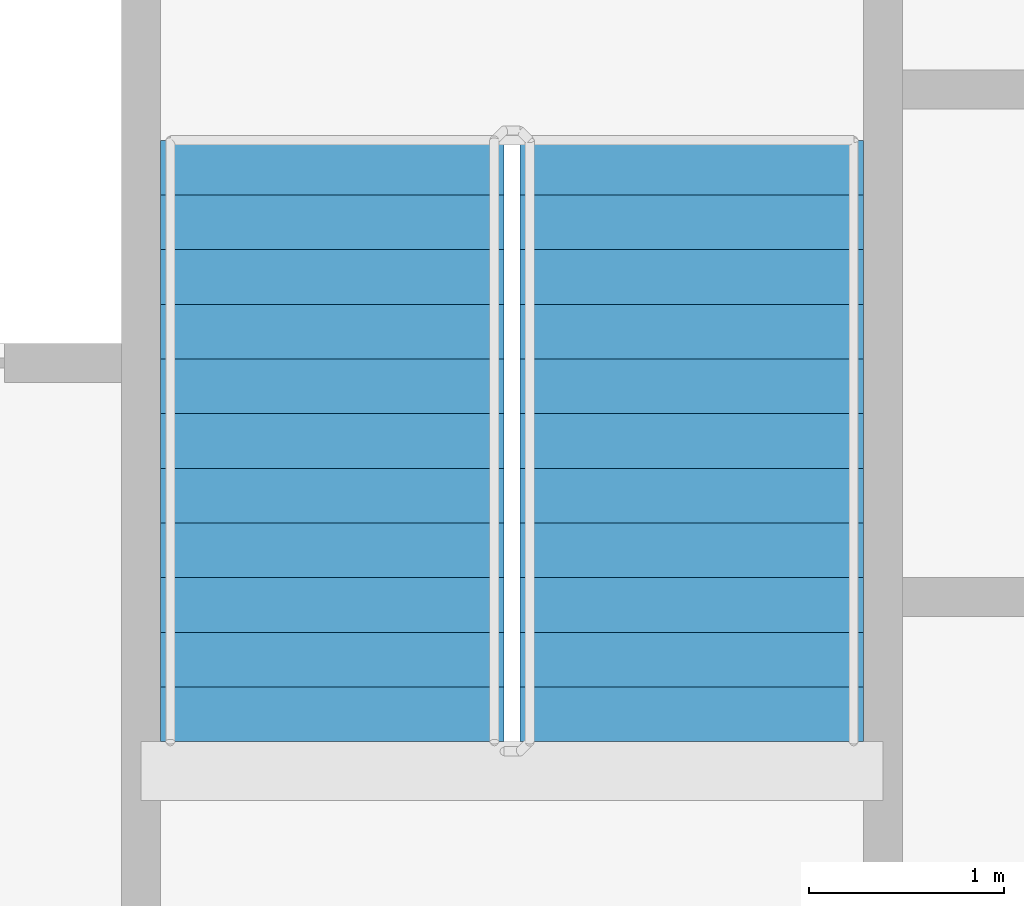
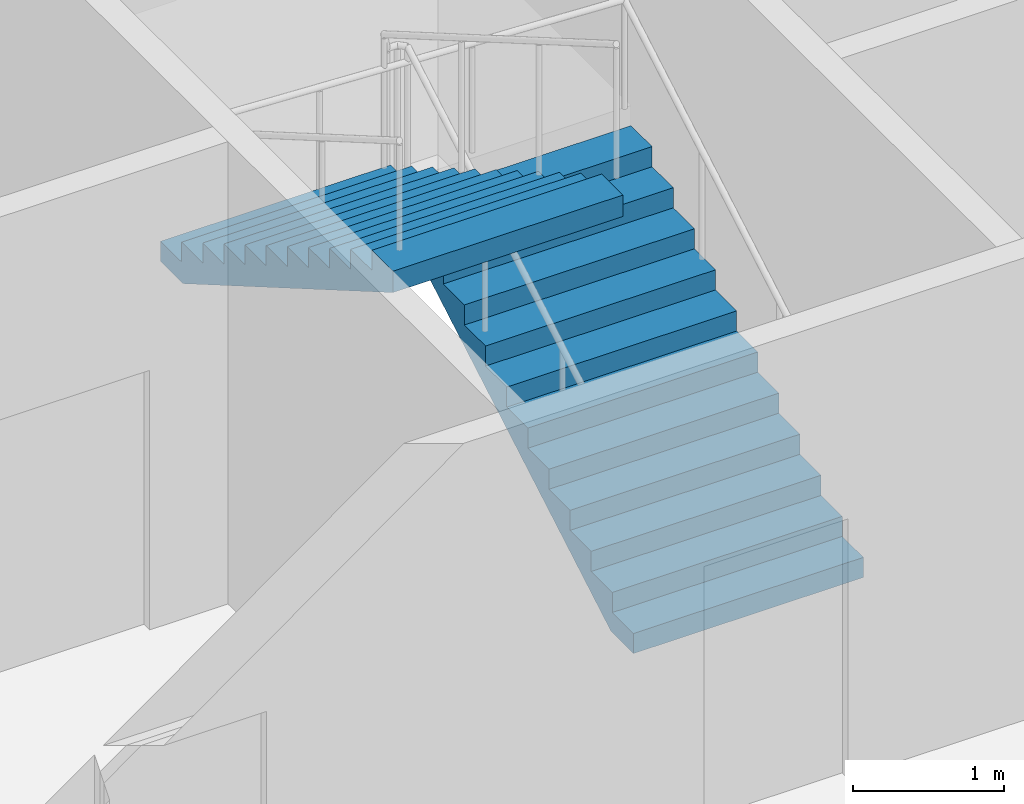
# One storey, part 16 of 22: 2 stair flights, 1 element without a shape of its own.
"""IFC4 building model written with IfcOpenShell, lengths in metres."""

from ifc_helpers import new_model, si_unit, direction, frame, origin, place, context, subcontext, project, spatial, faceted_brep, material, type_object, element, aggregate, save


model = new_model("IFC4")

# Units and contexts
model_context = context("Model", 3, precision=1e-05, world=origin(), true_north=direction((0.0, 1.0)))
body_context = subcontext(model_context, "Body", "Model", "MODEL_VIEW")
ifc_project = project(units=[si_unit("LENGTHUNIT", "METRE"), si_unit("AREAUNIT", "SQUARE_METRE"), si_unit("VOLUMEUNIT", "CUBIC_METRE"), si_unit("PLANEANGLEUNIT", "RADIAN"), si_unit("MASSUNIT", "GRAM", prefix="KILO")], contexts=[model_context])

# Site, building, storey
site_placement = place(None, origin())
site = spatial("IfcSite", under=ifc_project, at=site_placement, CompositionType="ELEMENT")
building_placement = place(site_placement, origin())
building = spatial("IfcBuilding", under=site, at=building_placement, Name="Tarsis Ring Headquarters", CompositionType="ELEMENT")
storey_placement = place(building_placement, frame((0.0, 0.0, 108.39990234375)))
storey = spatial("IfcBuildingStorey", under=building, at=storey_placement, Name="L24", CompositionType="ELEMENT", Elevation=108.39990234375)

# Stair, stair flights
ifc_material_1 = material(Name="Core stair 1760")
stair_type = type_object("IfcStairType", Name="Core stair 1760", PredefinedType="HALF_TURN_STAIR", material=ifc_material_1)
stair_placement = place(storey_placement, origin())
stair = element("IfcStair", 1, at=stair_placement, inside=storey, type_object=stair_type, Name="L24 Exit stair B", PredefinedType="HALF_TURN_STAIR")
ifc_material_2 = material(Name="Concrete C40/50", Category="concrete")
stair_flight_type = type_object("IfcStairFlightType", Name="Core stair flight 1760", PredefinedType="STRAIGHT", material=ifc_material_2)
stair_flight_1_placement = place(storey_placement, frame((5.419921875, 3.659912109375, 0.0), z_axis=(0.0, 0.0, 1.0), x_axis=(0.0, 1.0, 0.0)))
stair_flight_1 = element("IfcStairFlight", 2, at=stair_flight_1_placement, type_object=stair_flight_type, Name="Stair ST2 flight 1", NumberOfRisers=12, NumberOfTreads=11, PredefinedType="STRAIGHT", RiserHeight=0.1625, TreadLength=0.28, context=body_context, shape_type="Brep", body=[
    faceted_brep([(0.0, 0.8798828125, 0.0), (0.0, 0.8798828125, 0.16259765625), (0.280029296875, 0.8798828125, 0.16259765625), (0.280029296875, 0.8798828125, 0.324951171875), (0.56005859375, 0.8798828125, 0.324951171875), (0.56005859375, 0.8798828125, 0.487548828125), (0.840087890625, 0.8798828125, 0.487548828125), (0.840087890625, 0.8798828125, 0.64990234375), (1.1201171875, 0.8798828125, 0.64990234375), (1.1201171875, 0.8798828125, 0.8125), (1.39990234375, 0.8798828125, 0.8125), (1.39990234375, 0.8798828125, 0.97509765625), (1.679931640625, 0.8798828125, 0.97509765625), (1.679931640625, 0.8798828125, 1.137451171875), (1.9599609375, 0.8798828125, 1.137451171875), (1.9599609375, 0.8798828125, 1.300048828125), (2.239990234375, 0.8798828125, 1.300048828125), (2.239990234375, 0.8798828125, 1.46240234375), (2.52001953125, 0.8798828125, 1.46240234375), (2.52001953125, 0.8798828125, 1.625), (2.800048828125, 0.8798828125, 1.625), (2.800048828125, 0.8798828125, 1.78759765625), (3.080078125, 0.8798828125, 1.78759765625), (3.080078125, 0.8798828125, 1.6142578125), (0.298583984375, 0.8798828125, 0.0), (0.298583984375, -0.8798828125, 0.0), (3.080078125, -0.8798828125, 1.6142578125), (3.080078125, -0.8798828125, 1.78759765625), (2.800048828125, -0.8798828125, 1.78759765625), (2.800048828125, -0.8798828125, 1.625), (2.52001953125, -0.8798828125, 1.625), (2.52001953125, -0.8798828125, 1.46240234375), (2.239990234375, -0.8798828125, 1.46240234375), (2.239990234375, -0.8798828125, 1.300048828125), (1.9599609375, -0.8798828125, 1.300048828125), (1.9599609375, -0.8798828125, 1.137451171875), (1.679931640625, -0.8798828125, 1.137451171875), (1.679931640625, -0.8798828125, 0.97509765625), (1.39990234375, -0.8798828125, 0.97509765625), (1.39990234375, -0.8798828125, 0.8125), (1.1201171875, -0.8798828125, 0.8125), (1.1201171875, -0.8798828125, 0.64990234375), (0.840087890625, -0.8798828125, 0.64990234375), (0.840087890625, -0.8798828125, 0.487548828125), (0.56005859375, -0.8798828125, 0.487548828125), (0.56005859375, -0.8798828125, 0.324951171875), (0.280029296875, -0.8798828125, 0.324951171875), (0.280029296875, -0.8798828125, 0.16259765625), (0.0, -0.8798828125, 0.16259765625), (0.0, -0.8798828125, 0.0), (0.0, -0.43994140625, 0.16259765625), (0.0, -0.43994140625, 0.0), (0.0, 0.0, 0.16259765625), (0.0, 0.0, 0.0), (0.0, 0.43994140625, 0.16259765625), (0.0, 0.43994140625, 0.0), (0.280029296875, -0.43994140625, 0.16259765625), (0.280029296875, 0.0, 0.16259765625), (0.280029296875, 0.43994140625, 0.16259765625), (0.280029296875, -0.43994140625, 0.324951171875), (0.280029296875, 0.0, 0.324951171875), (0.280029296875, 0.43994140625, 0.324951171875), (0.56005859375, -0.43994140625, 0.324951171875), (0.56005859375, 0.0, 0.324951171875), (0.56005859375, 0.43994140625, 0.324951171875), (0.56005859375, -0.43994140625, 0.487548828125), (0.56005859375, 0.0, 0.487548828125), (0.56005859375, 0.43994140625, 0.487548828125), (0.840087890625, -0.43994140625, 0.487548828125), (0.840087890625, 0.0, 0.487548828125), (0.840087890625, 0.43994140625, 0.487548828125), (0.840087890625, -0.43994140625, 0.64990234375), (0.840087890625, 0.0, 0.64990234375), (0.840087890625, 0.43994140625, 0.64990234375), (1.1201171875, -0.43994140625, 0.64990234375), (1.1201171875, 0.0, 0.64990234375), (1.1201171875, 0.43994140625, 0.64990234375), (1.1201171875, -0.43994140625, 0.8125), (1.1201171875, 0.0, 0.8125), (1.1201171875, 0.43994140625, 0.8125), (1.39990234375, -0.43994140625, 0.8125), (1.39990234375, 0.0, 0.8125), (1.39990234375, 0.43994140625, 0.8125), (1.39990234375, -0.43994140625, 0.97509765625), (1.39990234375, 0.0, 0.97509765625), (1.39990234375, 0.43994140625, 0.97509765625), (1.679931640625, -0.43994140625, 0.97509765625), (1.679931640625, 0.0, 0.97509765625), (1.679931640625, 0.43994140625, 0.97509765625), (1.679931640625, -0.43994140625, 1.137451171875), (1.679931640625, 0.0, 1.137451171875), (1.679931640625, 0.43994140625, 1.137451171875), (1.9599609375, -0.43994140625, 1.137451171875), (1.9599609375, 0.0, 1.137451171875), (1.9599609375, 0.43994140625, 1.137451171875), (1.9599609375, -0.43994140625, 1.300048828125), (1.9599609375, 0.0, 1.300048828125), (1.9599609375, 0.43994140625, 1.300048828125), (2.239990234375, -0.43994140625, 1.300048828125), (2.239990234375, 0.0, 1.300048828125), (2.239990234375, 0.43994140625, 1.300048828125), (2.239990234375, -0.43994140625, 1.46240234375), (2.239990234375, 0.0, 1.46240234375), (2.239990234375, 0.43994140625, 1.46240234375), (2.52001953125, -0.43994140625, 1.46240234375), (2.52001953125, 0.0, 1.46240234375), (2.52001953125, 0.43994140625, 1.46240234375), (2.52001953125, -0.43994140625, 1.625), (2.52001953125, 0.0, 1.625), (2.52001953125, 0.43994140625, 1.625), (2.800048828125, -0.43994140625, 1.625), (2.800048828125, 0.0, 1.625), (2.800048828125, 0.43994140625, 1.625), (2.800048828125, -0.43994140625, 1.78759765625), (2.800048828125, 0.0, 1.78759765625), (2.800048828125, 0.43994140625, 1.78759765625), (3.080078125, -0.43994140625, 1.78759765625), (3.080078125, 0.0, 1.78759765625), (3.080078125, 0.43994140625, 1.78759765625), (3.080078125, -0.43994140625, 1.6142578125), (3.080078125, 0.0, 1.6142578125), (3.080078125, 0.43994140625, 1.6142578125), (0.298583984375, -0.43994140625, 0.0), (0.298583984375, 0.0, 0.0), (0.298583984375, 0.43994140625, 0.0)], [[[0, 1, 2, 3, 4, 5, 6, 7, 8, 9, 10, 11, 12, 13, 14, 15, 16, 17, 18, 19, 20, 21, 22, 23, 24]], [[25, 26, 27, 28, 29, 30, 31, 32, 33, 34, 35, 36, 37, 38, 39, 40, 41, 42, 43, 44, 45, 46, 47, 48, 49]], [[49, 48, 50, 51]], [[51, 50, 52, 53]], [[53, 52, 54, 55]], [[55, 54, 1, 0]], [[48, 47, 56, 50]], [[50, 56, 57, 52]], [[52, 57, 58, 54]], [[54, 58, 2, 1]], [[47, 46, 59, 56]], [[56, 59, 60, 57]], [[57, 60, 61, 58]], [[58, 61, 3, 2]], [[46, 45, 62, 59]], [[59, 62, 63, 60]], [[60, 63, 64, 61]], [[61, 64, 4, 3]], [[45, 44, 65, 62]], [[62, 65, 66, 63]], [[63, 66, 67, 64]], [[64, 67, 5, 4]], [[44, 43, 68, 65]], [[65, 68, 69, 66]], [[66, 69, 70, 67]], [[67, 70, 6, 5]], [[43, 42, 71, 68]], [[68, 71, 72, 69]], [[69, 72, 73, 70]], [[70, 73, 7, 6]], [[42, 41, 74, 71]], [[71, 74, 75, 72]], [[72, 75, 76, 73]], [[73, 76, 8, 7]], [[41, 40, 77, 74]], [[74, 77, 78, 75]], [[75, 78, 79, 76]], [[76, 79, 9, 8]], [[40, 39, 80, 77]], [[77, 80, 81, 78]], [[78, 81, 82, 79]], [[79, 82, 10, 9]], [[39, 38, 83, 80]], [[80, 83, 84, 81]], [[81, 84, 85, 82]], [[82, 85, 11, 10]], [[38, 37, 86, 83]], [[83, 86, 87, 84]], [[84, 87, 88, 85]], [[85, 88, 12, 11]], [[37, 36, 89, 86]], [[86, 89, 90, 87]], [[87, 90, 91, 88]], [[88, 91, 13, 12]], [[36, 35, 92, 89]], [[89, 92, 93, 90]], [[90, 93, 94, 91]], [[91, 94, 14, 13]], [[35, 34, 95, 92]], [[92, 95, 96, 93]], [[93, 96, 97, 94]], [[94, 97, 15, 14]], [[34, 33, 98, 95]], [[95, 98, 99, 96]], [[96, 99, 100, 97]], [[97, 100, 16, 15]], [[33, 32, 101, 98]], [[98, 101, 102, 99]], [[99, 102, 103, 100]], [[100, 103, 17, 16]], [[32, 31, 104, 101]], [[101, 104, 105, 102]], [[102, 105, 106, 103]], [[103, 106, 18, 17]], [[31, 30, 107, 104]], [[104, 107, 108, 105]], [[105, 108, 109, 106]], [[106, 109, 19, 18]], [[30, 29, 110, 107]], [[107, 110, 111, 108]], [[108, 111, 112, 109]], [[109, 112, 20, 19]], [[29, 28, 113, 110]], [[110, 113, 114, 111]], [[111, 114, 115, 112]], [[112, 115, 21, 20]], [[28, 27, 116, 113]], [[113, 116, 117, 114]], [[114, 117, 118, 115]], [[115, 118, 22, 21]], [[27, 26, 119, 116]], [[116, 119, 120, 117]], [[117, 120, 121, 118]], [[118, 121, 23, 22]], [[26, 25, 122, 119]], [[119, 122, 123, 120]], [[120, 123, 124, 121]], [[121, 124, 24, 23]], [[25, 49, 51, 122]], [[122, 51, 53, 123]], [[123, 53, 55, 124]], [[124, 55, 0, 24]]]),
])
stair_flight_2_placement = place(storey_placement, frame((3.580078125, 6.739990234375, 1.9501953125), z_axis=(0.0, 0.0, 1.0), x_axis=(0.0, -1.0, 0.0)))
stair_flight_2 = element("IfcStairFlight", 3, at=stair_flight_2_placement, type_object=stair_flight_type, Name="Stair ST2 flight 2", NumberOfRisers=12, NumberOfTreads=11, PredefinedType="STRAIGHT", RiserHeight=0.1625, TreadLength=0.28, context=body_context, shape_type="Brep", body=[
    faceted_brep([(0.0, 0.8798828125, 0.0), (0.0, 0.8798828125, 0.16259765625), (0.280029296875, 0.8798828125, 0.16259765625), (0.280029296875, 0.8798828125, 0.324951171875), (0.56005859375, 0.8798828125, 0.324951171875), (0.56005859375, 0.8798828125, 0.487548828125), (0.840087890625, 0.8798828125, 0.487548828125), (0.840087890625, 0.8798828125, 0.64990234375), (1.1201171875, 0.8798828125, 0.64990234375), (1.1201171875, 0.8798828125, 0.8125), (1.39990234375, 0.8798828125, 0.8125), (1.39990234375, 0.8798828125, 0.97509765625), (1.679931640625, 0.8798828125, 0.97509765625), (1.679931640625, 0.8798828125, 1.137451171875), (1.9599609375, 0.8798828125, 1.137451171875), (1.9599609375, 0.8798828125, 1.300048828125), (2.239990234375, 0.8798828125, 1.300048828125), (2.239990234375, 0.8798828125, 1.46240234375), (2.52001953125, 0.8798828125, 1.46240234375), (2.52001953125, 0.8798828125, 1.625), (2.800048828125, 0.8798828125, 1.625), (2.800048828125, 0.8798828125, 1.78759765625), (3.080078125, 0.8798828125, 1.78759765625), (3.080078125, 0.8798828125, 1.6142578125), (0.298583984375, 0.8798828125, 0.0), (0.298583984375, -0.8798828125, 0.0), (3.080078125, -0.8798828125, 1.6142578125), (3.080078125, -0.8798828125, 1.78759765625), (2.800048828125, -0.8798828125, 1.78759765625), (2.800048828125, -0.8798828125, 1.625), (2.52001953125, -0.8798828125, 1.625), (2.52001953125, -0.8798828125, 1.46240234375), (2.239990234375, -0.8798828125, 1.46240234375), (2.239990234375, -0.8798828125, 1.300048828125), (1.9599609375, -0.8798828125, 1.300048828125), (1.9599609375, -0.8798828125, 1.137451171875), (1.679931640625, -0.8798828125, 1.137451171875), (1.679931640625, -0.8798828125, 0.97509765625), (1.39990234375, -0.8798828125, 0.97509765625), (1.39990234375, -0.8798828125, 0.8125), (1.1201171875, -0.8798828125, 0.8125), (1.1201171875, -0.8798828125, 0.64990234375), (0.840087890625, -0.8798828125, 0.64990234375), (0.840087890625, -0.8798828125, 0.487548828125), (0.56005859375, -0.8798828125, 0.487548828125), (0.56005859375, -0.8798828125, 0.324951171875), (0.280029296875, -0.8798828125, 0.324951171875), (0.280029296875, -0.8798828125, 0.16259765625), (0.0, -0.8798828125, 0.16259765625), (0.0, -0.8798828125, 0.0), (0.0, -0.43994140625, 0.16259765625), (0.0, -0.43994140625, 0.0), (0.0, 0.0, 0.16259765625), (0.0, 0.0, 0.0), (0.0, 0.43994140625, 0.16259765625), (0.0, 0.43994140625, 0.0), (0.280029296875, -0.43994140625, 0.16259765625), (0.280029296875, 0.0, 0.16259765625), (0.280029296875, 0.43994140625, 0.16259765625), (0.280029296875, -0.43994140625, 0.324951171875), (0.280029296875, 0.0, 0.324951171875), (0.280029296875, 0.43994140625, 0.324951171875), (0.56005859375, -0.43994140625, 0.324951171875), (0.56005859375, 0.0, 0.324951171875), (0.56005859375, 0.43994140625, 0.324951171875), (0.56005859375, -0.43994140625, 0.487548828125), (0.56005859375, 0.0, 0.487548828125), (0.56005859375, 0.43994140625, 0.487548828125), (0.840087890625, -0.43994140625, 0.487548828125), (0.840087890625, 0.0, 0.487548828125), (0.840087890625, 0.43994140625, 0.487548828125), (0.840087890625, -0.43994140625, 0.64990234375), (0.840087890625, 0.0, 0.64990234375), (0.840087890625, 0.43994140625, 0.64990234375), (1.1201171875, -0.43994140625, 0.64990234375), (1.1201171875, 0.0, 0.64990234375), (1.1201171875, 0.43994140625, 0.64990234375), (1.1201171875, -0.43994140625, 0.8125), (1.1201171875, 0.0, 0.8125), (1.1201171875, 0.43994140625, 0.8125), (1.39990234375, -0.43994140625, 0.8125), (1.39990234375, 0.0, 0.8125), (1.39990234375, 0.43994140625, 0.8125), (1.39990234375, -0.43994140625, 0.97509765625), (1.39990234375, 0.0, 0.97509765625), (1.39990234375, 0.43994140625, 0.97509765625), (1.679931640625, -0.43994140625, 0.97509765625), (1.679931640625, 0.0, 0.97509765625), (1.679931640625, 0.43994140625, 0.97509765625), (1.679931640625, -0.43994140625, 1.137451171875), (1.679931640625, 0.0, 1.137451171875), (1.679931640625, 0.43994140625, 1.137451171875), (1.9599609375, -0.43994140625, 1.137451171875), (1.9599609375, 0.0, 1.137451171875), (1.9599609375, 0.43994140625, 1.137451171875), (1.9599609375, -0.43994140625, 1.300048828125), (1.9599609375, 0.0, 1.300048828125), (1.9599609375, 0.43994140625, 1.300048828125), (2.239990234375, -0.43994140625, 1.300048828125), (2.239990234375, 0.0, 1.300048828125), (2.239990234375, 0.43994140625, 1.300048828125), (2.239990234375, -0.43994140625, 1.46240234375), (2.239990234375, 0.0, 1.46240234375), (2.239990234375, 0.43994140625, 1.46240234375), (2.52001953125, -0.43994140625, 1.46240234375), (2.52001953125, 0.0, 1.46240234375), (2.52001953125, 0.43994140625, 1.46240234375), (2.52001953125, -0.43994140625, 1.625), (2.52001953125, 0.0, 1.625), (2.52001953125, 0.43994140625, 1.625), (2.800048828125, -0.43994140625, 1.625), (2.800048828125, 0.0, 1.625), (2.800048828125, 0.43994140625, 1.625), (2.800048828125, -0.43994140625, 1.78759765625), (2.800048828125, 0.0, 1.78759765625), (2.800048828125, 0.43994140625, 1.78759765625), (3.080078125, -0.43994140625, 1.78759765625), (3.080078125, 0.0, 1.78759765625), (3.080078125, 0.43994140625, 1.78759765625), (3.080078125, -0.43994140625, 1.6142578125), (3.080078125, 0.0, 1.6142578125), (3.080078125, 0.43994140625, 1.6142578125), (0.298583984375, -0.43994140625, 0.0), (0.298583984375, 0.0, 0.0), (0.298583984375, 0.43994140625, 0.0)], [[[0, 1, 2, 3, 4, 5, 6, 7, 8, 9, 10, 11, 12, 13, 14, 15, 16, 17, 18, 19, 20, 21, 22, 23, 24]], [[25, 26, 27, 28, 29, 30, 31, 32, 33, 34, 35, 36, 37, 38, 39, 40, 41, 42, 43, 44, 45, 46, 47, 48, 49]], [[49, 48, 50, 51]], [[51, 50, 52, 53]], [[53, 52, 54, 55]], [[55, 54, 1, 0]], [[48, 47, 56, 50]], [[50, 56, 57, 52]], [[52, 57, 58, 54]], [[54, 58, 2, 1]], [[47, 46, 59, 56]], [[56, 59, 60, 57]], [[57, 60, 61, 58]], [[58, 61, 3, 2]], [[46, 45, 62, 59]], [[59, 62, 63, 60]], [[60, 63, 64, 61]], [[61, 64, 4, 3]], [[45, 44, 65, 62]], [[62, 65, 66, 63]], [[63, 66, 67, 64]], [[64, 67, 5, 4]], [[44, 43, 68, 65]], [[65, 68, 69, 66]], [[66, 69, 70, 67]], [[67, 70, 6, 5]], [[43, 42, 71, 68]], [[68, 71, 72, 69]], [[69, 72, 73, 70]], [[70, 73, 7, 6]], [[42, 41, 74, 71]], [[71, 74, 75, 72]], [[72, 75, 76, 73]], [[73, 76, 8, 7]], [[41, 40, 77, 74]], [[74, 77, 78, 75]], [[75, 78, 79, 76]], [[76, 79, 9, 8]], [[40, 39, 80, 77]], [[77, 80, 81, 78]], [[78, 81, 82, 79]], [[79, 82, 10, 9]], [[39, 38, 83, 80]], [[80, 83, 84, 81]], [[81, 84, 85, 82]], [[82, 85, 11, 10]], [[38, 37, 86, 83]], [[83, 86, 87, 84]], [[84, 87, 88, 85]], [[85, 88, 12, 11]], [[37, 36, 89, 86]], [[86, 89, 90, 87]], [[87, 90, 91, 88]], [[88, 91, 13, 12]], [[36, 35, 92, 89]], [[89, 92, 93, 90]], [[90, 93, 94, 91]], [[91, 94, 14, 13]], [[35, 34, 95, 92]], [[92, 95, 96, 93]], [[93, 96, 97, 94]], [[94, 97, 15, 14]], [[34, 33, 98, 95]], [[95, 98, 99, 96]], [[96, 99, 100, 97]], [[97, 100, 16, 15]], [[33, 32, 101, 98]], [[98, 101, 102, 99]], [[99, 102, 103, 100]], [[100, 103, 17, 16]], [[32, 31, 104, 101]], [[101, 104, 105, 102]], [[102, 105, 106, 103]], [[103, 106, 18, 17]], [[31, 30, 107, 104]], [[104, 107, 108, 105]], [[105, 108, 109, 106]], [[106, 109, 19, 18]], [[30, 29, 110, 107]], [[107, 110, 111, 108]], [[108, 111, 112, 109]], [[109, 112, 20, 19]], [[29, 28, 113, 110]], [[110, 113, 114, 111]], [[111, 114, 115, 112]], [[112, 115, 21, 20]], [[28, 27, 116, 113]], [[113, 116, 117, 114]], [[114, 117, 118, 115]], [[115, 118, 22, 21]], [[27, 26, 119, 116]], [[116, 119, 120, 117]], [[117, 120, 121, 118]], [[118, 121, 23, 22]], [[26, 25, 122, 119]], [[119, 122, 123, 120]], [[120, 123, 124, 121]], [[121, 124, 24, 23]], [[25, 49, 51, 122]], [[122, 51, 53, 123]], [[123, 53, 55, 124]], [[124, 55, 0, 24]]]),
])
aggregate(stair, [stair_flight_1, stair_flight_2])

save(model, "model.ifc")
